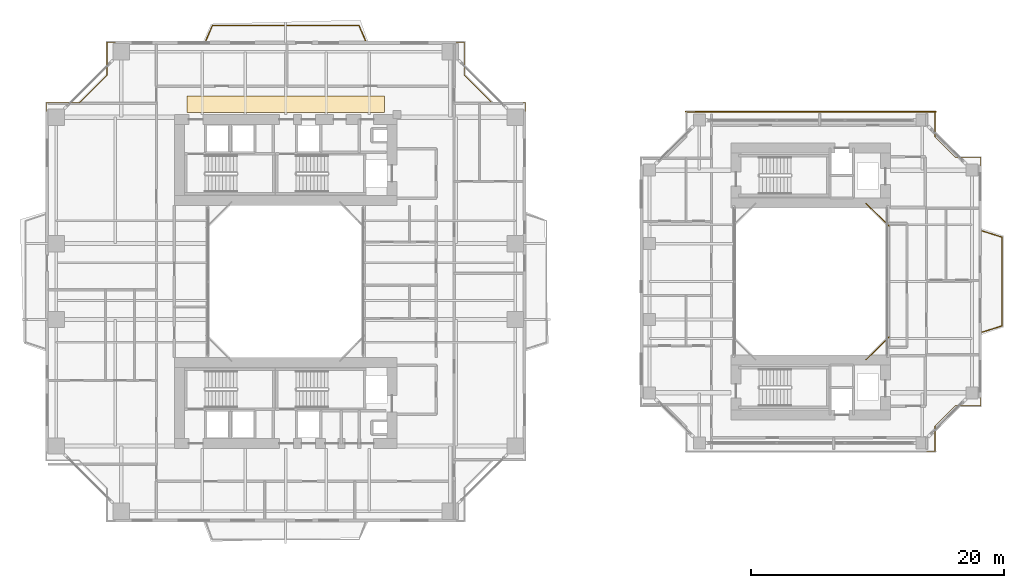
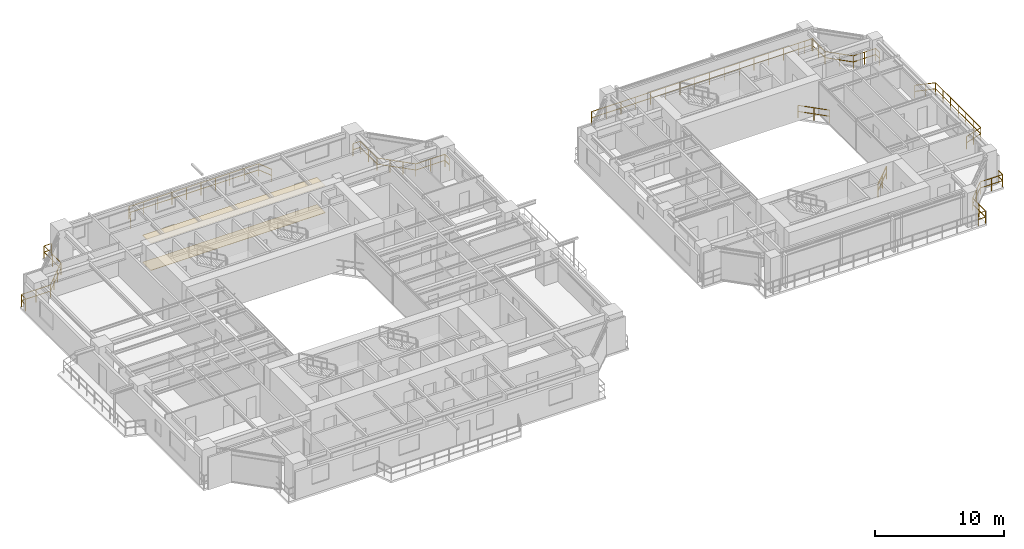
# One storey, part 23 of 23: 9 railings, 2 coverings.
"""IFC4 building model written with IfcOpenShell, lengths in metres."""

from ifc_helpers import new_model, si_unit, direction, frame, origin, origin_2d, place, context, subcontext, project, spatial, polyline, rectangle, outline, extrude, material, layer, layer_set, type_object, element, save


model = new_model("IFC4")

# Units and contexts
model_context = context("Model", 3, precision=1e-05, world=origin(), true_north=direction((0.0, 1.0)))
body_context = subcontext(model_context, "Body", "Model", "MODEL_VIEW")
ifc_project = project(units=[si_unit("LENGTHUNIT", "METRE"), si_unit("AREAUNIT", "SQUARE_METRE"), si_unit("VOLUMEUNIT", "CUBIC_METRE"), si_unit("PLANEANGLEUNIT", "RADIAN"), si_unit("MASSUNIT", "GRAM", prefix="KILO"), si_unit("THERMODYNAMICTEMPERATUREUNIT", "KELVIN"), si_unit("POWERUNIT", "WATT")], contexts=[model_context])

# Site, building, storey
site_placement = place(None, origin())
site = spatial("IfcSite", under=ifc_project, at=site_placement, CompositionType="ELEMENT")
building_placement = place(site_placement, origin())
building = spatial("IfcBuilding", under=site, at=building_placement, Name="Qiaomeng Ring Towers", CompositionType="ELEMENT")
storey_placement = place(building_placement, frame((0.0, 0.0, 26.25)))
storey = spatial("IfcBuildingStorey", under=building, at=storey_placement, Name="L06", CompositionType="ELEMENT", Elevation=26.25)

# Coverings
ifc_material_1 = material(Name="Mineral fibre acoustic ceiling tile", Category="gypsum")
ifc_layer_1 = layer(ifc_material_1, 0.02490234375, Name="Mineral fibre acoustic ceiling tile")
ifc_layer_set_1 = layer_set([ifc_layer_1], Name="Mineral fibre acoustic ceiling tile")
covering_type_1 = type_object("IfcCoveringType", Name="ARC-COV-CEIL1", PredefinedType="CEILING", material=ifc_layer_set_1)
covering_1_placement = place(storey_placement, frame((0.0, 0.0, 2.550048828125)))
element("IfcCovering", 1, at=covering_1_placement, inside=storey, type_object=covering_type_1, Name="L06 Corridor Acoustic Ceiling", PredefinedType="CEILING", context=body_context, shape_type="SweptSolid", body=[
    extrude(outline(polyline([(11.199951171875, 36.35009765625), (11.199951171875, 37.64990234375), (26.800048828125, 37.64990234375), (26.800048828125, 36.35009765625), (11.199951171875, 36.35009765625)])), origin(), (0.0, 0.0, 1.0), 0.02490234375),
])
ifc_material_2 = material(Name="Vitrified porcelain floor tile", Category="ceramic")
ifc_layer_2 = layer(ifc_material_2, 0.02001953125, Name="Vitrified porcelain floor tile")
ifc_layer_set_2 = layer_set([ifc_layer_2], Name="Vitrified porcelain floor tile")
covering_type_2 = type_object("IfcCoveringType", Name="ARC-COV-FLR1", PredefinedType="FLOORING", material=ifc_layer_set_2)
covering_2_placement = place(storey_placement, origin())
element("IfcCovering", 2, at=covering_2_placement, inside=storey, type_object=covering_type_2, Name="L06 Corridor Stone Flooring", PredefinedType="FLOORING", context=body_context, shape_type="SweptSolid", body=[
    extrude(outline(polyline([(11.199951171875, 36.35009765625), (11.199951171875, 37.64990234375), (26.800048828125, 37.64990234375), (26.800048828125, 36.35009765625), (11.199951171875, 36.35009765625)])), origin(), (0.0, 0.0, 1.0), 0.02001953125),
])

# Railings
ifc_material_3 = material(Name="Low-E pale-green laminated safety glass", Category="glass")
railing_type = type_object("IfcRailingType", Name="ARC-RL-BAL1", PredefinedType="BALUSTRADE", material=ifc_material_3)
railing_1_placement = place(storey_placement, frame((37.919921875, 36.469970703125, 0.0)))
element("IfcRailing", 3, at=railing_1_placement, inside=storey, type_object=railing_type, Name="L06 Balustrade ARC-BAL-NOTCH1-L06-NE", PredefinedType="BALUSTRADE", context=body_context, shape_type="SweptSolid", body=[
    extrude(rectangle(XDim=0.048095703125, YDim=0.048095703125, at=origin_2d()), frame((0.0, 0.0, 1.17578125), z_axis=(0.0, 1.0, 0.0), x_axis=(-1.0, 0.0, 0.0)), (0.0, 0.0, 1.0), 0.650146484375),
    extrude(rectangle(XDim=0.048095703125, YDim=0.048095703125, at=origin_2d()), frame((0.0, 0.0, 0.60009765625), z_axis=(0.0, 1.0, 0.0), x_axis=(-1.0, 0.0, 0.0)), (0.0, 0.0, 1.0), 0.650146484375),
    extrude(rectangle(XDim=0.048095703125, YDim=0.048095703125, at=origin_2d()), frame((0.0, 0.650146484375, 1.17578125), z_axis=(-1.0, 0.0, 0.0), x_axis=(0.0, -1.0, 0.0)), (0.0, 0.0, 1.0), 2.599853515625),
    extrude(rectangle(XDim=0.048095703125, YDim=0.048095703125, at=origin_2d()), frame((0.0, 0.650146484375, 0.60009765625), z_axis=(-1.0, 0.0, 0.0), x_axis=(0.0, -1.0, 0.0)), (0.0, 0.0, 1.0), 2.599853515625),
    extrude(rectangle(XDim=0.048095703125, YDim=0.048095703125, at=origin_2d()), frame((-2.599853515625, 0.650146484375, 1.17578125), z_axis=(-0.707106781187, 0.707106781187, 0.0), x_axis=(-0.707106781187, -0.707106781187, 0.0)), (0.0, 0.0, 1.0), 3.111083984375),
    extrude(rectangle(XDim=0.048095703125, YDim=0.048095703125, at=origin_2d()), frame((-2.599853515625, 0.650146484375, 0.60009765625), z_axis=(-0.707106781187, 0.707106781187, 0.0), x_axis=(-0.707106781187, -0.707106781187, 0.0)), (0.0, 0.0, 1.0), 3.111083984375),
    extrude(rectangle(XDim=0.048095703125, YDim=0.048095703125, at=origin_2d()), frame((-4.7998046875, 2.85009765625, 1.17578125), z_axis=(0.0, 1.0, 0.0), x_axis=(-1.0, 0.0, 0.0)), (0.0, 0.0, 1.0), 2.599853515625),
    extrude(rectangle(XDim=0.048095703125, YDim=0.048095703125, at=origin_2d()), frame((-4.7998046875, 2.85009765625, 0.60009765625), z_axis=(0.0, 1.0, 0.0), x_axis=(-1.0, 0.0, 0.0)), (0.0, 0.0, 1.0), 2.599853515625),
    extrude(rectangle(XDim=0.048095703125, YDim=0.048095703125, at=origin_2d()), frame((-4.7998046875, 5.449951171875, 1.17578125), z_axis=(-1.0, 0.0, 0.0), x_axis=(0.0, -1.0, 0.0)), (0.0, 0.0, 1.0), 0.650146484375),
    extrude(rectangle(XDim=0.048095703125, YDim=0.048095703125, at=origin_2d()), frame((-4.7998046875, 5.449951171875, 0.60009765625), z_axis=(-1.0, 0.0, 0.0), x_axis=(0.0, -1.0, 0.0)), (0.0, 0.0, 1.0), 0.650146484375),
    extrude(rectangle(XDim=0.0419921875, YDim=0.0419921875, at=origin_2d()), origin(), (0.0, 0.0, 1.0), 1.15185546875),
    extrude(rectangle(XDim=0.0419921875, YDim=0.0419921875, at=origin_2d()), frame((0.0, 0.650146484375, 0.0)), (0.0, 0.0, 1.0), 1.15185546875),
    extrude(rectangle(XDim=0.0419921875, YDim=0.0419921875, at=origin_2d()), frame((-1.2998046875, 0.650146484375, 0.0)), (0.0, 0.0, 1.0), 1.15185546875),
    extrude(rectangle(XDim=0.0419921875, YDim=0.0419921875, at=origin_2d()), frame((-2.599853515625, 0.650146484375, 0.0)), (0.0, 0.0, 1.0), 1.15185546875),
    extrude(rectangle(XDim=0.0419921875, YDim=0.0419921875, at=origin_2d()), frame((-3.333251953125, 1.383544921875, 0.0)), (0.0, 0.0, 1.0), 1.15185546875),
    extrude(rectangle(XDim=0.0419921875, YDim=0.0419921875, at=origin_2d()), frame((-4.06640625, 2.11669921875, 0.0)), (0.0, 0.0, 1.0), 1.15185546875),
    extrude(rectangle(XDim=0.0419921875, YDim=0.0419921875, at=origin_2d()), frame((-4.7998046875, 2.85009765625, 0.0)), (0.0, 0.0, 1.0), 1.15185546875),
    extrude(rectangle(XDim=0.0419921875, YDim=0.0419921875, at=origin_2d()), frame((-4.7998046875, 4.14990234375, 0.0)), (0.0, 0.0, 1.0), 1.15185546875),
    extrude(rectangle(XDim=0.0419921875, YDim=0.0419921875, at=origin_2d()), frame((-4.7998046875, 5.449951171875, 0.0)), (0.0, 0.0, 1.0), 1.15185546875),
    extrude(rectangle(XDim=0.0419921875, YDim=0.0419921875, at=origin_2d()), frame((-5.449951171875, 5.449951171875, 0.0)), (0.0, 0.0, 1.0), 1.15185546875),
])
railing_2_placement = place(storey_placement, frame((5.530029296875, 41.919921875, 0.0)))
element("IfcRailing", 4, at=railing_2_placement, inside=storey, type_object=railing_type, Name="L06 Balustrade ARC-BAL-NOTCH1-L06-NW", PredefinedType="BALUSTRADE", context=body_context, shape_type="SweptSolid", body=[
    extrude(rectangle(XDim=0.048095703125, YDim=0.048095703125, at=origin_2d()), frame((0.0, 0.0, 1.17578125), z_axis=(-1.0, 0.0, 0.0), x_axis=(0.0, -1.0, 0.0)), (0.0, 0.0, 1.0), 0.650146484375),
    extrude(rectangle(XDim=0.048095703125, YDim=0.048095703125, at=origin_2d()), frame((0.0, 0.0, 0.60009765625), z_axis=(-1.0, 0.0, 0.0), x_axis=(0.0, -1.0, 0.0)), (0.0, 0.0, 1.0), 0.650146484375),
    extrude(rectangle(XDim=0.048095703125, YDim=0.048095703125, at=origin_2d()), frame((-0.650146484375, 0.0, 1.17578125), z_axis=(0.0, -1.0, 0.0), x_axis=(1.0, 0.0, 0.0)), (0.0, 0.0, 1.0), 2.599853515625),
    extrude(rectangle(XDim=0.048095703125, YDim=0.048095703125, at=origin_2d()), frame((-0.650146484375, 0.0, 0.60009765625), z_axis=(0.0, -1.0, 0.0), x_axis=(1.0, 0.0, 0.0)), (0.0, 0.0, 1.0), 2.599853515625),
    extrude(rectangle(XDim=0.048095703125, YDim=0.048095703125, at=origin_2d()), frame((-0.650146484375, -2.599853515625, 1.17578125), z_axis=(-0.707106781187, -0.707106781187, 0.0), x_axis=(0.707106781187, -0.707106781187, 0.0)), (0.0, 0.0, 1.0), 3.111083984375),
    extrude(rectangle(XDim=0.048095703125, YDim=0.048095703125, at=origin_2d()), frame((-0.650146484375, -2.599853515625, 0.60009765625), z_axis=(-0.707106781187, -0.707106781187, 0.0), x_axis=(0.707106781187, -0.707106781187, 0.0)), (0.0, 0.0, 1.0), 3.111083984375),
    extrude(rectangle(XDim=0.048095703125, YDim=0.048095703125, at=origin_2d()), frame((-2.85009765625, -4.7998046875, 1.17578125), z_axis=(-1.0, 0.0, 0.0), x_axis=(0.0, -1.0, 0.0)), (0.0, 0.0, 1.0), 2.599853515625),
    extrude(rectangle(XDim=0.048095703125, YDim=0.048095703125, at=origin_2d()), frame((-2.85009765625, -4.7998046875, 0.60009765625), z_axis=(-1.0, 0.0, 0.0), x_axis=(0.0, -1.0, 0.0)), (0.0, 0.0, 1.0), 2.599853515625),
    extrude(rectangle(XDim=0.048095703125, YDim=0.048095703125, at=origin_2d()), frame((-5.449951171875, -4.7998046875, 1.17578125), z_axis=(0.0, -1.0, 0.0), x_axis=(1.0, 0.0, 0.0)), (0.0, 0.0, 1.0), 0.650146484375),
    extrude(rectangle(XDim=0.048095703125, YDim=0.048095703125, at=origin_2d()), frame((-5.449951171875, -4.7998046875, 0.60009765625), z_axis=(0.0, -1.0, 0.0), x_axis=(1.0, 0.0, 0.0)), (0.0, 0.0, 1.0), 0.650146484375),
    extrude(rectangle(XDim=0.0419921875, YDim=0.0419921875, at=origin_2d()), origin(), (0.0, 0.0, 1.0), 1.15185546875),
    extrude(rectangle(XDim=0.0419921875, YDim=0.0419921875, at=origin_2d()), frame((-0.650146484375, 0.0, 0.0)), (0.0, 0.0, 1.0), 1.15185546875),
    extrude(rectangle(XDim=0.0419921875, YDim=0.0419921875, at=origin_2d()), frame((-0.650146484375, -1.2998046875, 0.0)), (0.0, 0.0, 1.0), 1.15185546875),
    extrude(rectangle(XDim=0.0419921875, YDim=0.0419921875, at=origin_2d()), frame((-0.650146484375, -2.599853515625, 0.0)), (0.0, 0.0, 1.0), 1.15185546875),
    extrude(rectangle(XDim=0.0419921875, YDim=0.0419921875, at=origin_2d()), frame((-1.383544921875, -3.333251953125, 0.0)), (0.0, 0.0, 1.0), 1.15185546875),
    extrude(rectangle(XDim=0.0419921875, YDim=0.0419921875, at=origin_2d()), frame((-2.11669921875, -4.06640625, 0.0)), (0.0, 0.0, 1.0), 1.15185546875),
    extrude(rectangle(XDim=0.0419921875, YDim=0.0419921875, at=origin_2d()), frame((-2.85009765625, -4.7998046875, 0.0)), (0.0, 0.0, 1.0), 1.15185546875),
    extrude(rectangle(XDim=0.0419921875, YDim=0.0419921875, at=origin_2d()), frame((-4.14990234375, -4.7998046875, 0.0)), (0.0, 0.0, 1.0), 1.15185546875),
    extrude(rectangle(XDim=0.0419921875, YDim=0.0419921875, at=origin_2d()), frame((-5.449951171875, -4.7998046875, 0.0)), (0.0, 0.0, 1.0), 1.15185546875),
    extrude(rectangle(XDim=0.0419921875, YDim=0.0419921875, at=origin_2d()), frame((-5.449951171875, -5.449951171875, 0.0)), (0.0, 0.0, 1.0), 1.15185546875),
])
railing_3_placement = place(storey_placement, frame((12.699951171875, 42.050048828125, 0.0)))
element("IfcRailing", 5, at=railing_3_placement, inside=storey, type_object=railing_type, Name="L06 Balustrade ARC-BAL-L06-T1-N", PredefinedType="BALUSTRADE", context=body_context, shape_type="SweptSolid", body=[
    extrude(rectangle(XDim=0.048095703125, YDim=0.048095703125, at=origin_2d()), frame((0.0, 0.0, 1.17578125), z_axis=(0.39299272826, 0.919541579014, 0.0), x_axis=(-0.919541579014, 0.39299272826, 0.0)), (0.0, 0.0, 1.0), 1.272216796875),
    extrude(rectangle(XDim=0.048095703125, YDim=0.048095703125, at=origin_2d()), frame((0.0, 0.0, 0.60009765625), z_axis=(0.39299272826, 0.919541579014, 0.0), x_axis=(-0.919541579014, 0.39299272826, 0.0)), (0.0, 0.0, 1.0), 1.272216796875),
    extrude(rectangle(XDim=0.048095703125, YDim=0.048095703125, at=origin_2d()), frame((0.5, 1.169921875, 1.17578125), z_axis=(1.0, 0.0, 0.0), x_axis=(0.0, 1.0, 0.0)), (0.0, 0.0, 1.0), 11.60009765625),
    extrude(rectangle(XDim=0.048095703125, YDim=0.048095703125, at=origin_2d()), frame((0.5, 1.169921875, 0.60009765625), z_axis=(1.0, 0.0, 0.0), x_axis=(0.0, 1.0, 0.0)), (0.0, 0.0, 1.0), 11.60009765625),
    extrude(rectangle(XDim=0.048095703125, YDim=0.048095703125, at=origin_2d()), frame((12.10009765625, 1.169921875, 1.17578125), z_axis=(0.39299272826, -0.919541579014, 0.0), x_axis=(0.919541579014, 0.39299272826, 0.0)), (0.0, 0.0, 1.0), 1.272216796875),
    extrude(rectangle(XDim=0.048095703125, YDim=0.048095703125, at=origin_2d()), frame((12.10009765625, 1.169921875, 0.60009765625), z_axis=(0.39299272826, -0.919541579014, 0.0), x_axis=(0.919541579014, 0.39299272826, 0.0)), (0.0, 0.0, 1.0), 1.272216796875),
    extrude(rectangle(XDim=0.0419921875, YDim=0.0419921875, at=origin_2d()), origin(), (0.0, 0.0, 1.0), 1.15185546875),
    extrude(rectangle(XDim=0.0419921875, YDim=0.0419921875, at=origin_2d()), frame((0.5, 1.169921875, 0.0)), (0.0, 0.0, 1.0), 1.15185546875),
    extrude(rectangle(XDim=0.0419921875, YDim=0.0419921875, at=origin_2d()), frame((1.788818359375, 1.169921875, 0.0)), (0.0, 0.0, 1.0), 1.15185546875),
    extrude(rectangle(XDim=0.0419921875, YDim=0.0419921875, at=origin_2d()), frame((3.077880859375, 1.169921875, 0.0)), (0.0, 0.0, 1.0), 1.15185546875),
    extrude(rectangle(XDim=0.0419921875, YDim=0.0419921875, at=origin_2d()), frame((4.36669921875, 1.169921875, 0.0)), (0.0, 0.0, 1.0), 1.15185546875),
    extrude(rectangle(XDim=0.0419921875, YDim=0.0419921875, at=origin_2d()), frame((5.655517578125, 1.169921875, 0.0)), (0.0, 0.0, 1.0), 1.15185546875),
    extrude(rectangle(XDim=0.0419921875, YDim=0.0419921875, at=origin_2d()), frame((6.944580078125, 1.169921875, 0.0)), (0.0, 0.0, 1.0), 1.15185546875),
    extrude(rectangle(XDim=0.0419921875, YDim=0.0419921875, at=origin_2d()), frame((8.2333984375, 1.169921875, 0.0)), (0.0, 0.0, 1.0), 1.15185546875),
    extrude(rectangle(XDim=0.0419921875, YDim=0.0419921875, at=origin_2d()), frame((9.522216796875, 1.169921875, 0.0)), (0.0, 0.0, 1.0), 1.15185546875),
    extrude(rectangle(XDim=0.0419921875, YDim=0.0419921875, at=origin_2d()), frame((10.811279296875, 1.169921875, 0.0)), (0.0, 0.0, 1.0), 1.15185546875),
    extrude(rectangle(XDim=0.0419921875, YDim=0.0419921875, at=origin_2d()), frame((12.10009765625, 1.169921875, 0.0)), (0.0, 0.0, 1.0), 1.15185546875),
    extrude(rectangle(XDim=0.0419921875, YDim=0.0419921875, at=origin_2d()), frame((12.60009765625, 0.0, 0.0)), (0.0, 0.0, 1.0), 1.15185546875),
])
railing_4_placement = place(storey_placement, frame((64.8798828125, 16.820068359375, 0.0)))
element("IfcRailing", 6, at=railing_4_placement, inside=storey, type_object=railing_type, Name="L06 Balustrade ARC-BAL-WELL2-L06-1", PredefinedType="BALUSTRADE", context=body_context, shape_type="SweptSolid", body=[
    extrude(rectangle(XDim=0.048095703125, YDim=0.048095703125, at=origin_2d()), frame((0.0, 0.0, 1.17578125), z_axis=(0.707106781187, 0.707106781187, 0.0), x_axis=(-0.707106781187, 0.707106781187, 0.0)), (0.0, 0.0, 1.0), 2.545654296875),
    extrude(rectangle(XDim=0.048095703125, YDim=0.048095703125, at=origin_2d()), frame((0.0, 0.0, 0.60009765625), z_axis=(0.707106781187, 0.707106781187, 0.0), x_axis=(-0.707106781187, 0.707106781187, 0.0)), (0.0, 0.0, 1.0), 2.545654296875),
    extrude(rectangle(XDim=0.0419921875, YDim=0.0419921875, at=origin_2d()), origin(), (0.0, 0.0, 1.0), 1.15185546875),
    extrude(rectangle(XDim=0.0419921875, YDim=0.0419921875, at=origin_2d()), frame((0.89990234375, 0.89990234375, 0.0)), (0.0, 0.0, 1.0), 1.15185546875),
    extrude(rectangle(XDim=0.0419921875, YDim=0.0419921875, at=origin_2d()), frame((1.800048828125, 1.800048828125, 0.0)), (0.0, 0.0, 1.0), 1.15185546875),
])
railing_5_placement = place(storey_placement, frame((66.679931640625, 27.3798828125, 0.0)))
element("IfcRailing", 7, at=railing_5_placement, inside=storey, type_object=railing_type, Name="L06 Balustrade ARC-BAL-WELL2-L06-2", PredefinedType="BALUSTRADE", context=body_context, shape_type="SweptSolid", body=[
    extrude(rectangle(XDim=0.048095703125, YDim=0.048095703125, at=origin_2d()), frame((0.0, 0.0, 1.17578125), z_axis=(-0.707106781187, 0.707106781187, 0.0), x_axis=(-0.707106781187, -0.707106781187, 0.0)), (0.0, 0.0, 1.0), 2.545654296875),
    extrude(rectangle(XDim=0.048095703125, YDim=0.048095703125, at=origin_2d()), frame((0.0, 0.0, 0.60009765625), z_axis=(-0.707106781187, 0.707106781187, 0.0), x_axis=(-0.707106781187, -0.707106781187, 0.0)), (0.0, 0.0, 1.0), 2.545654296875),
    extrude(rectangle(XDim=0.0419921875, YDim=0.0419921875, at=origin_2d()), origin(), (0.0, 0.0, 1.0), 1.15185546875),
    extrude(rectangle(XDim=0.0419921875, YDim=0.0419921875, at=origin_2d()), frame((-0.89990234375, 0.89990234375, 0.0)), (0.0, 0.0, 1.0), 1.15185546875),
    extrude(rectangle(XDim=0.0419921875, YDim=0.0419921875, at=origin_2d()), frame((-1.800048828125, 1.800048828125, 0.0)), (0.0, 0.0, 1.0), 1.15185546875),
])
railing_6_placement = place(storey_placement, frame((69.669921875, 9.580078125, 0.0)))
element("IfcRailing", 8, at=railing_6_placement, inside=storey, type_object=railing_type, Name="L06 Balustrade ARC-BAL-NOTCH2-L06-SE", PredefinedType="BALUSTRADE", context=body_context, shape_type="SweptSolid", body=[
    extrude(rectangle(XDim=0.048095703125, YDim=0.048095703125, at=origin_2d()), frame((0.0, 0.0, 1.17578125), z_axis=(1.0, 0.0, 0.0), x_axis=(0.0, 1.0, 0.0)), (0.0, 0.0, 1.0), 0.650146484375),
    extrude(rectangle(XDim=0.048095703125, YDim=0.048095703125, at=origin_2d()), frame((0.0, 0.0, 0.60009765625), z_axis=(1.0, 0.0, 0.0), x_axis=(0.0, 1.0, 0.0)), (0.0, 0.0, 1.0), 0.650146484375),
    extrude(rectangle(XDim=0.048095703125, YDim=0.048095703125, at=origin_2d()), frame((0.650146484375, 0.0, 1.17578125), z_axis=(0.0, 1.0, 0.0), x_axis=(-1.0, 0.0, 0.0)), (0.0, 0.0, 1.0), 2.0),
    extrude(rectangle(XDim=0.048095703125, YDim=0.048095703125, at=origin_2d()), frame((0.650146484375, 0.0, 0.60009765625), z_axis=(0.0, 1.0, 0.0), x_axis=(-1.0, 0.0, 0.0)), (0.0, 0.0, 1.0), 2.0),
    extrude(rectangle(XDim=0.048095703125, YDim=0.048095703125, at=origin_2d()), frame((0.650146484375, 2.0, 1.17578125), z_axis=(0.707106781187, 0.707106781187, 0.0), x_axis=(-0.707106781187, 0.707106781187, 0.0)), (0.0, 0.0, 1.0), 2.262451171875),
    extrude(rectangle(XDim=0.048095703125, YDim=0.048095703125, at=origin_2d()), frame((0.650146484375, 2.0, 0.60009765625), z_axis=(0.707106781187, 0.707106781187, 0.0), x_axis=(-0.707106781187, 0.707106781187, 0.0)), (0.0, 0.0, 1.0), 2.262451171875),
    extrude(rectangle(XDim=0.048095703125, YDim=0.048095703125, at=origin_2d()), frame((2.25, 3.599853515625, 1.17578125), z_axis=(1.0, 0.0, 0.0), x_axis=(0.0, 1.0, 0.0)), (0.0, 0.0, 1.0), 2.0),
    extrude(rectangle(XDim=0.048095703125, YDim=0.048095703125, at=origin_2d()), frame((2.25, 3.599853515625, 0.60009765625), z_axis=(1.0, 0.0, 0.0), x_axis=(0.0, 1.0, 0.0)), (0.0, 0.0, 1.0), 2.0),
    extrude(rectangle(XDim=0.048095703125, YDim=0.048095703125, at=origin_2d()), frame((4.25, 3.599853515625, 1.17578125), z_axis=(0.0, 1.0, 0.0), x_axis=(-1.0, 0.0, 0.0)), (0.0, 0.0, 1.0), 0.650146484375),
    extrude(rectangle(XDim=0.048095703125, YDim=0.048095703125, at=origin_2d()), frame((4.25, 3.599853515625, 0.60009765625), z_axis=(0.0, 1.0, 0.0), x_axis=(-1.0, 0.0, 0.0)), (0.0, 0.0, 1.0), 0.650146484375),
    extrude(rectangle(XDim=0.0419921875, YDim=0.0419921875, at=origin_2d()), origin(), (0.0, 0.0, 1.0), 1.15185546875),
    extrude(rectangle(XDim=0.0419921875, YDim=0.0419921875, at=origin_2d()), frame((0.650146484375, 0.0, 0.0)), (0.0, 0.0, 1.0), 1.15185546875),
    extrude(rectangle(XDim=0.0419921875, YDim=0.0419921875, at=origin_2d()), frame((0.650146484375, 1.0, 0.0)), (0.0, 0.0, 1.0), 1.15185546875),
    extrude(rectangle(XDim=0.0419921875, YDim=0.0419921875, at=origin_2d()), frame((0.650146484375, 2.0, 0.0)), (0.0, 0.0, 1.0), 1.15185546875),
    extrude(rectangle(XDim=0.0419921875, YDim=0.0419921875, at=origin_2d()), frame((1.4501953125, 2.7998046875, 0.0)), (0.0, 0.0, 1.0), 1.15185546875),
    extrude(rectangle(XDim=0.0419921875, YDim=0.0419921875, at=origin_2d()), frame((2.25, 3.599853515625, 0.0)), (0.0, 0.0, 1.0), 1.15185546875),
    extrude(rectangle(XDim=0.0419921875, YDim=0.0419921875, at=origin_2d()), frame((3.25, 3.599853515625, 0.0)), (0.0, 0.0, 1.0), 1.15185546875),
    extrude(rectangle(XDim=0.0419921875, YDim=0.0419921875, at=origin_2d()), frame((4.25, 3.599853515625, 0.0)), (0.0, 0.0, 1.0), 1.15185546875),
    extrude(rectangle(XDim=0.0419921875, YDim=0.0419921875, at=origin_2d()), frame((4.25, 4.25, 0.0)), (0.0, 0.0, 1.0), 1.15185546875),
])
railing_7_placement = place(storey_placement, frame((73.919921875, 32.169921875, 0.0)))
element("IfcRailing", 9, at=railing_7_placement, inside=storey, type_object=railing_type, Name="L06 Balustrade ARC-BAL-NOTCH2-L06-NE", PredefinedType="BALUSTRADE", context=body_context, shape_type="SweptSolid", body=[
    extrude(rectangle(XDim=0.048095703125, YDim=0.048095703125, at=origin_2d()), frame((0.0, 0.0, 1.17578125), z_axis=(0.0, 1.0, 0.0), x_axis=(-1.0, 0.0, 0.0)), (0.0, 0.0, 1.0), 0.650146484375),
    extrude(rectangle(XDim=0.048095703125, YDim=0.048095703125, at=origin_2d()), frame((0.0, 0.0, 0.60009765625), z_axis=(0.0, 1.0, 0.0), x_axis=(-1.0, 0.0, 0.0)), (0.0, 0.0, 1.0), 0.650146484375),
    extrude(rectangle(XDim=0.048095703125, YDim=0.048095703125, at=origin_2d()), frame((0.0, 0.650146484375, 1.17578125), z_axis=(-1.0, 0.0, 0.0), x_axis=(0.0, -1.0, 0.0)), (0.0, 0.0, 1.0), 2.0),
    extrude(rectangle(XDim=0.048095703125, YDim=0.048095703125, at=origin_2d()), frame((0.0, 0.650146484375, 0.60009765625), z_axis=(-1.0, 0.0, 0.0), x_axis=(0.0, -1.0, 0.0)), (0.0, 0.0, 1.0), 2.0),
    extrude(rectangle(XDim=0.048095703125, YDim=0.048095703125, at=origin_2d()), frame((-2.0, 0.650146484375, 1.17578125), z_axis=(-0.707106781187, 0.707106781187, 0.0), x_axis=(-0.707106781187, -0.707106781187, 0.0)), (0.0, 0.0, 1.0), 2.262451171875),
    extrude(rectangle(XDim=0.048095703125, YDim=0.048095703125, at=origin_2d()), frame((-2.0, 0.650146484375, 0.60009765625), z_axis=(-0.707106781187, 0.707106781187, 0.0), x_axis=(-0.707106781187, -0.707106781187, 0.0)), (0.0, 0.0, 1.0), 2.262451171875),
    extrude(rectangle(XDim=0.048095703125, YDim=0.048095703125, at=origin_2d()), frame((-3.599853515625, 2.25, 1.17578125), z_axis=(0.0, 1.0, 0.0), x_axis=(-1.0, 0.0, 0.0)), (0.0, 0.0, 1.0), 2.0),
    extrude(rectangle(XDim=0.048095703125, YDim=0.048095703125, at=origin_2d()), frame((-3.599853515625, 2.25, 0.60009765625), z_axis=(0.0, 1.0, 0.0), x_axis=(-1.0, 0.0, 0.0)), (0.0, 0.0, 1.0), 2.0),
    extrude(rectangle(XDim=0.048095703125, YDim=0.048095703125, at=origin_2d()), frame((-3.599853515625, 4.25, 1.17578125), z_axis=(-1.0, 0.0, 0.0), x_axis=(0.0, -1.0, 0.0)), (0.0, 0.0, 1.0), 0.650146484375),
    extrude(rectangle(XDim=0.048095703125, YDim=0.048095703125, at=origin_2d()), frame((-3.599853515625, 4.25, 0.60009765625), z_axis=(-1.0, 0.0, 0.0), x_axis=(0.0, -1.0, 0.0)), (0.0, 0.0, 1.0), 0.650146484375),
    extrude(rectangle(XDim=0.0419921875, YDim=0.0419921875, at=origin_2d()), origin(), (0.0, 0.0, 1.0), 1.15185546875),
    extrude(rectangle(XDim=0.0419921875, YDim=0.0419921875, at=origin_2d()), frame((0.0, 0.650146484375, 0.0)), (0.0, 0.0, 1.0), 1.15185546875),
    extrude(rectangle(XDim=0.0419921875, YDim=0.0419921875, at=origin_2d()), frame((-1.0, 0.650146484375, 0.0)), (0.0, 0.0, 1.0), 1.15185546875),
    extrude(rectangle(XDim=0.0419921875, YDim=0.0419921875, at=origin_2d()), frame((-2.0, 0.650146484375, 0.0)), (0.0, 0.0, 1.0), 1.15185546875),
    extrude(rectangle(XDim=0.0419921875, YDim=0.0419921875, at=origin_2d()), frame((-2.7998046875, 1.4501953125, 0.0)), (0.0, 0.0, 1.0), 1.15185546875),
    extrude(rectangle(XDim=0.0419921875, YDim=0.0419921875, at=origin_2d()), frame((-3.599853515625, 2.25, 0.0)), (0.0, 0.0, 1.0), 1.15185546875),
    extrude(rectangle(XDim=0.0419921875, YDim=0.0419921875, at=origin_2d()), frame((-3.599853515625, 3.25, 0.0)), (0.0, 0.0, 1.0), 1.15185546875),
    extrude(rectangle(XDim=0.0419921875, YDim=0.0419921875, at=origin_2d()), frame((-3.599853515625, 4.25, 0.0)), (0.0, 0.0, 1.0), 1.15185546875),
    extrude(rectangle(XDim=0.0419921875, YDim=0.0419921875, at=origin_2d()), frame((-4.25, 4.25, 0.0)), (0.0, 0.0, 1.0), 1.15185546875),
])
railing_8_placement = place(storey_placement, frame((50.60009765625, 36.419921875, 0.0)))
element("IfcRailing", 10, at=railing_8_placement, inside=storey, type_object=railing_type, Name="L06 Balustrade ARC-BAL-T2N-L06", PredefinedType="BALUSTRADE", context=body_context, shape_type="SweptSolid", body=[
    extrude(rectangle(XDim=0.048095703125, YDim=0.048095703125, at=origin_2d()), frame((0.0, 0.0, 1.17578125), z_axis=(1.0, 0.0, 0.0), x_axis=(0.0, 1.0, 0.0)), (0.0, 0.0, 1.0), 19.7998046875),
    extrude(rectangle(XDim=0.048095703125, YDim=0.048095703125, at=origin_2d()), frame((0.0, 0.0, 0.60009765625), z_axis=(1.0, 0.0, 0.0), x_axis=(0.0, 1.0, 0.0)), (0.0, 0.0, 1.0), 19.7998046875),
    extrude(rectangle(XDim=0.0419921875, YDim=0.0419921875, at=origin_2d()), origin(), (0.0, 0.0, 1.0), 1.15185546875),
    extrude(rectangle(XDim=0.0419921875, YDim=0.0419921875, at=origin_2d()), frame((1.320068359375, 0.0, 0.0)), (0.0, 0.0, 1.0), 1.15185546875),
    extrude(rectangle(XDim=0.0419921875, YDim=0.0419921875, at=origin_2d()), frame((2.639892578125, 0.0, 0.0)), (0.0, 0.0, 1.0), 1.15185546875),
    extrude(rectangle(XDim=0.0419921875, YDim=0.0419921875, at=origin_2d()), frame((3.9599609375, 0.0, 0.0)), (0.0, 0.0, 1.0), 1.15185546875),
    extrude(rectangle(XDim=0.0419921875, YDim=0.0419921875, at=origin_2d()), frame((5.280029296875, 0.0, 0.0)), (0.0, 0.0, 1.0), 1.15185546875),
    extrude(rectangle(XDim=0.0419921875, YDim=0.0419921875, at=origin_2d()), frame((6.599853515625, 0.0, 0.0)), (0.0, 0.0, 1.0), 1.15185546875),
    extrude(rectangle(XDim=0.0419921875, YDim=0.0419921875, at=origin_2d()), frame((7.919921875, 0.0, 0.0)), (0.0, 0.0, 1.0), 1.15185546875),
    extrude(rectangle(XDim=0.0419921875, YDim=0.0419921875, at=origin_2d()), frame((9.239990234375, 0.0, 0.0)), (0.0, 0.0, 1.0), 1.15185546875),
    extrude(rectangle(XDim=0.0419921875, YDim=0.0419921875, at=origin_2d()), frame((10.559814453125, 0.0, 0.0)), (0.0, 0.0, 1.0), 1.15185546875),
    extrude(rectangle(XDim=0.0419921875, YDim=0.0419921875, at=origin_2d()), frame((11.8798828125, 0.0, 0.0)), (0.0, 0.0, 1.0), 1.15185546875),
    extrude(rectangle(XDim=0.0419921875, YDim=0.0419921875, at=origin_2d()), frame((13.199951171875, 0.0, 0.0)), (0.0, 0.0, 1.0), 1.15185546875),
    extrude(rectangle(XDim=0.0419921875, YDim=0.0419921875, at=origin_2d()), frame((14.519775390625, 0.0, 0.0)), (0.0, 0.0, 1.0), 1.15185546875),
    extrude(rectangle(XDim=0.0419921875, YDim=0.0419921875, at=origin_2d()), frame((15.83984375, 0.0, 0.0)), (0.0, 0.0, 1.0), 1.15185546875),
    extrude(rectangle(XDim=0.0419921875, YDim=0.0419921875, at=origin_2d()), frame((17.159912109375, 0.0, 0.0)), (0.0, 0.0, 1.0), 1.15185546875),
    extrude(rectangle(XDim=0.0419921875, YDim=0.0419921875, at=origin_2d()), frame((18.479736328125, 0.0, 0.0)), (0.0, 0.0, 1.0), 1.15185546875),
    extrude(rectangle(XDim=0.0419921875, YDim=0.0419921875, at=origin_2d()), frame((19.7998046875, 0.0, 0.0)), (0.0, 0.0, 1.0), 1.15185546875),
])
railing_9_placement = place(storey_placement, frame((74.050048828125, 19.0, 0.0)))
element("IfcRailing", 11, at=railing_9_placement, inside=storey, type_object=railing_type, Name="L06 Balustrade ARC-BAL-L06-T2-E", PredefinedType="BALUSTRADE", context=body_context, shape_type="SweptSolid", body=[
    extrude(rectangle(XDim=0.048095703125, YDim=0.048095703125, at=origin_2d()), frame((0.0, 0.0, 1.17578125), z_axis=(0.952849860715, 0.303442157479, 0.0), x_axis=(-0.303442157479, 0.952849860715, 0.0)), (0.0, 0.0, 1.0), 1.647705078125),
    extrude(rectangle(XDim=0.048095703125, YDim=0.048095703125, at=origin_2d()), frame((0.0, 0.0, 0.60009765625), z_axis=(0.952849860715, 0.303442157479, 0.0), x_axis=(-0.303442157479, 0.952849860715, 0.0)), (0.0, 0.0, 1.0), 1.647705078125),
    extrude(rectangle(XDim=0.048095703125, YDim=0.048095703125, at=origin_2d()), frame((1.570068359375, 0.5, 1.17578125), z_axis=(0.0, 1.0, 0.0), x_axis=(-1.0, 0.0, 0.0)), (0.0, 0.0, 1.0), 7.0),
    extrude(rectangle(XDim=0.048095703125, YDim=0.048095703125, at=origin_2d()), frame((1.570068359375, 0.5, 0.60009765625), z_axis=(0.0, 1.0, 0.0), x_axis=(-1.0, 0.0, 0.0)), (0.0, 0.0, 1.0), 7.0),
    extrude(rectangle(XDim=0.048095703125, YDim=0.048095703125, at=origin_2d()), frame((1.570068359375, 7.5, 1.17578125), z_axis=(-0.952849860715, 0.303442157479, 0.0), x_axis=(-0.303442157479, -0.952849860715, 0.0)), (0.0, 0.0, 1.0), 1.647705078125),
    extrude(rectangle(XDim=0.048095703125, YDim=0.048095703125, at=origin_2d()), frame((1.570068359375, 7.5, 0.60009765625), z_axis=(-0.952849860715, 0.303442157479, 0.0), x_axis=(-0.303442157479, -0.952849860715, 0.0)), (0.0, 0.0, 1.0), 1.647705078125),
    extrude(rectangle(XDim=0.0419921875, YDim=0.0419921875, at=origin_2d()), origin(), (0.0, 0.0, 1.0), 1.15185546875),
    extrude(rectangle(XDim=0.0419921875, YDim=0.0419921875, at=origin_2d()), frame((0.78515625, 0.25, 0.0)), (0.0, 0.0, 1.0), 1.15185546875),
    extrude(rectangle(XDim=0.0419921875, YDim=0.0419921875, at=origin_2d()), frame((1.570068359375, 0.5, 0.0)), (0.0, 0.0, 1.0), 1.15185546875),
    extrude(rectangle(XDim=0.0419921875, YDim=0.0419921875, at=origin_2d()), frame((1.570068359375, 1.666748046875, 0.0)), (0.0, 0.0, 1.0), 1.15185546875),
    extrude(rectangle(XDim=0.0419921875, YDim=0.0419921875, at=origin_2d()), frame((1.570068359375, 2.833251953125, 0.0)), (0.0, 0.0, 1.0), 1.15185546875),
    extrude(rectangle(XDim=0.0419921875, YDim=0.0419921875, at=origin_2d()), frame((1.570068359375, 4.0, 0.0)), (0.0, 0.0, 1.0), 1.15185546875),
    extrude(rectangle(XDim=0.0419921875, YDim=0.0419921875, at=origin_2d()), frame((1.570068359375, 5.166748046875, 0.0)), (0.0, 0.0, 1.0), 1.15185546875),
    extrude(rectangle(XDim=0.0419921875, YDim=0.0419921875, at=origin_2d()), frame((1.570068359375, 6.333251953125, 0.0)), (0.0, 0.0, 1.0), 1.15185546875),
    extrude(rectangle(XDim=0.0419921875, YDim=0.0419921875, at=origin_2d()), frame((1.570068359375, 7.5, 0.0)), (0.0, 0.0, 1.0), 1.15185546875),
    extrude(rectangle(XDim=0.0419921875, YDim=0.0419921875, at=origin_2d()), frame((0.78515625, 7.75, 0.0)), (0.0, 0.0, 1.0), 1.15185546875),
    extrude(rectangle(XDim=0.0419921875, YDim=0.0419921875, at=origin_2d()), frame((0.0, 8.0, 0.0)), (0.0, 0.0, 1.0), 1.15185546875),
])

save(model, "model.ifc")
